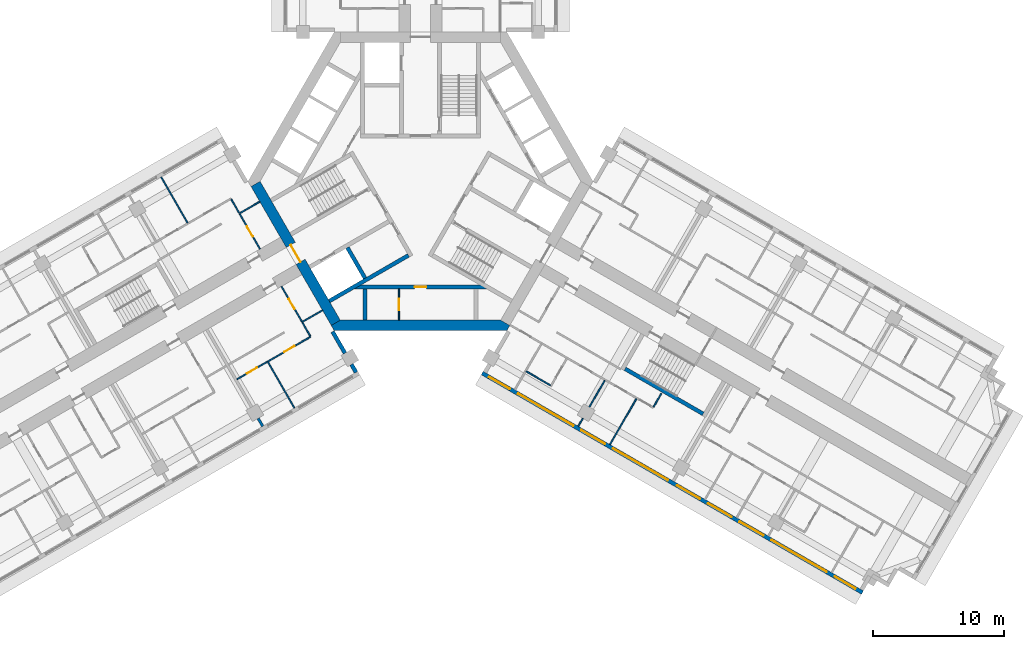
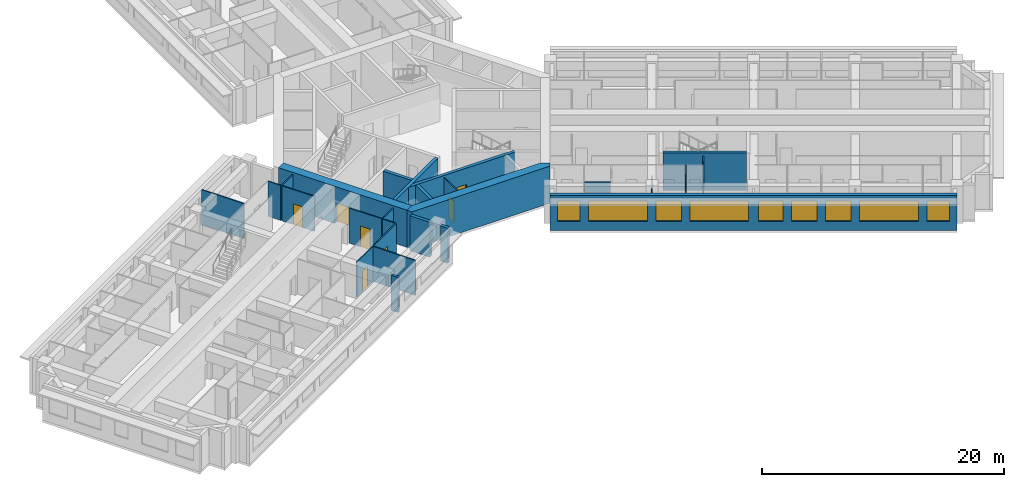
# One storey, part 6 of 14: 26 walls, 9 windows, 7 doors, 16 openings.
"""IFC4 building model written with IfcOpenShell, lengths in metres."""

from ifc_helpers import new_model, si_unit, direction, frame, frame_2d, origin, place, context, subcontext, project, spatial, polyline, rectangle, outline, extrude, material, layer, layer_set, type_object, element, fill, save


model = new_model("IFC4")

# Units and contexts
model_context = context("Model", 3, precision=1e-05, world=origin(), true_north=direction((0.0, 1.0)))
body_context = subcontext(model_context, "Body", "Model", "MODEL_VIEW")
ifc_project = project(units=[si_unit("LENGTHUNIT", "METRE"), si_unit("AREAUNIT", "SQUARE_METRE"), si_unit("VOLUMEUNIT", "CUBIC_METRE"), si_unit("PLANEANGLEUNIT", "RADIAN"), si_unit("MASSUNIT", "GRAM", prefix="KILO")], contexts=[model_context])

# Site, building, storey
site_placement = place(None, origin())
site = spatial("IfcSite", under=ifc_project, at=site_placement, CompositionType="ELEMENT")
building_placement = place(site_placement, origin())
building = spatial("IfcBuilding", under=site, at=building_placement, Name="Impinga Residences", CompositionType="ELEMENT")
storey_placement = place(building_placement, frame((0.0, 0.0, 124.75)))
storey = spatial("IfcBuildingStorey", under=building, at=storey_placement, Name="L30", CompositionType="ELEMENT", Elevation=124.75)

# Wall, opening, door
ifc_material_1 = material(Name="Concrete blockwork", Category="masonry")
ifc_layer_1 = layer(ifc_material_1, 0.10009765625)
ifc_layer_set_1 = layer_set([ifc_layer_1], Name="CP1 core room partition, blockwork 100")
wall_type_1 = type_object("IfcWallType", Name="CP1 core room partition, blockwork 100", PredefinedType="PARTITIONING", material=ifc_layer_set_1)
wall_1_placement = place(storey_placement, frame((-1.64990234375, -8.2314453125, 0.0), z_axis=(0.0, 0.0, 1.0), x_axis=(0.0, -1.0, 0.0)))
wall_1 = element("IfcWall", 1, at=wall_1_placement, inside=storey, type_object=wall_type_1, Name="Core room partition, blockwork L30:CORE:low:ZP1", PredefinedType="PARTITIONING", context=body_context, shape_type="SweptSolid", body=[
    extrude(rectangle(XDim=2.400146484375, YDim=0.10009765625, at=frame_2d((1.2001953125, 0.0))), origin(), (0.0, 0.0, 1.0), 3.530029296875),
])
opening_1_placement = place(wall_1_placement, frame((0.75, 0.0, 0.0)))
opening_1 = element("IfcOpeningElement", 2, at=opening_1_placement, cuts=wall_1, Name="Opening D6", PredefinedType="OPENING", context=body_context, shape_type="SweptSolid", body=[
    extrude(rectangle(XDim=0.89990234375, YDim=2.10009765625, at=frame_2d((0.449951171875, 1.050048828125))), frame((0.0, 0.06005859375, 0.0), z_axis=(0.0, -1.0, 0.0), x_axis=(1.0, 0.0, 0.0)), (0.0, 0.0, 1.0), 0.1201171875),
])
ifc_material_2 = material(Name="Timber door set", Category="wood")
door_type_1 = type_object("IfcDoorType", Name="D6 riser and store door 900x2100", OperationType="SINGLE_SWING_LEFT", PredefinedType="DOOR", material=ifc_material_2)
door_1_placement = place(opening_1_placement, origin())
door_1 = element("IfcDoor", 3, at=door_1_placement, inside=storey, type_object=door_type_1, Name="Linen store door", OperationType="SINGLE_SWING_LEFT", OverallHeight=2.10009765625, OverallWidth=0.89990234375, PredefinedType="DOOR", context=body_context, shape_type="SweptSolid", body=[
    extrude(rectangle(XDim=0.89990234375, YDim=2.10009765625, at=frame_2d((0.449951171875, 1.050048828125))), frame((0.0, 0.02490234375, 0.0), z_axis=(0.0, -1.0, 0.0), x_axis=(1.0, 0.0, 0.0)), (0.0, 0.0, 1.0), 0.050048828125),
])
fill(opening_1, door_1)

# Wall, openings, windows
ifc_material_3 = material(Name="Terracotta rainscreen on blockwork", Category="masonry")
ifc_layer_2 = layer(ifc_material_3, 0.300048828125)
ifc_layer_set_2 = layer_set([ifc_layer_2], Name="EW1 external wall, terracotta rainscreen on blockwork 300")
wall_type_2 = type_object("IfcWallType", Name="EW1 external wall, terracotta rainscreen on blockwork 300", PredefinedType="SOLIDWALL", material=ifc_layer_set_2)
wall_2_placement = place(storey_placement, frame((33.823486328125, -31.479248046875, 0.0), z_axis=(0.0, 0.0, 1.0), x_axis=(-0.866024291668, 0.500001926238, 0.0)))
wall_2 = element("IfcWall", 4, at=wall_2_placement, inside=storey, type_object=wall_type_2, Name="External wall EW1 L30", PredefinedType="SOLIDWALL", context=body_context, shape_type="SweptSolid", body=[
    extrude(rectangle(XDim=33.599853515625, YDim=0.300048828125, at=frame_2d((16.7998046875, 0.0))), origin(), (0.0, 0.0, 1.0), 3.530029296875),
])
opening_2_placement = place(wall_2_placement, frame((0.60009765625, 0.0, 0.89990234375)))
opening_2 = element("IfcOpeningElement", 5, at=opening_2_placement, cuts=wall_2, Name="Opening W15", PredefinedType="OPENING", context=body_context, shape_type="SweptSolid", body=[
    extrude(rectangle(XDim=1.85009765625, YDim=2.050048828125, at=frame_2d((0.925048828125, 1.02490234375))), frame((0.0, 0.159912109375, 0.0), z_axis=(0.0, -1.0, 0.0), x_axis=(1.0, 0.0, 0.0)), (0.0, 0.0, 1.0), 0.320068359375),
])
opening_3_placement = place(wall_2_placement, frame((3.14990234375, 0.0, 0.89990234375)))
opening_3 = element("IfcOpeningElement", 6, at=opening_3_placement, cuts=wall_2, Name="Opening W16", PredefinedType="OPENING", context=body_context, shape_type="SweptSolid", body=[
    extrude(rectangle(XDim=4.89990234375, YDim=2.050048828125, at=frame_2d((2.449951171875, 1.02490234375))), frame((0.0, 0.159912109375, 0.0), z_axis=(0.0, -1.0, 0.0), x_axis=(1.0, 0.0, 0.0)), (0.0, 0.0, 1.0), 0.320068359375),
])
opening_4_placement = place(wall_2_placement, frame((8.75, 0.0, 0.89990234375)))
opening_4 = element("IfcOpeningElement", 7, at=opening_4_placement, cuts=wall_2, Name="Opening W9", PredefinedType="OPENING", context=body_context, shape_type="SweptSolid", body=[
    extrude(rectangle(XDim=2.10009765625, YDim=2.050048828125, at=frame_2d((1.050048828125, 1.02490234375))), frame((0.0, 0.159912109375, 0.0), z_axis=(0.0, -1.0, 0.0), x_axis=(1.0, 0.0, 0.0)), (0.0, 0.0, 1.0), 0.320068359375),
])
opening_5_placement = place(wall_2_placement, frame((11.550048828125, 0.0, 0.89990234375)))
opening_5 = element("IfcOpeningElement", 8, at=opening_5_placement, cuts=wall_2, Name="Opening W9", PredefinedType="OPENING", context=body_context, shape_type="SweptSolid", body=[
    extrude(rectangle(XDim=2.10009765625, YDim=2.050048828125, at=frame_2d((1.050048828125, 1.02490234375))), frame((0.0, 0.159912109375, 0.0), z_axis=(0.0, -1.0, 0.0), x_axis=(1.0, 0.0, 0.0)), (0.0, 0.0, 1.0), 0.320068359375),
])
opening_6_placement = place(wall_2_placement, frame((14.35009765625, 0.0, 0.89990234375)))
opening_6 = element("IfcOpeningElement", 9, at=opening_6_placement, cuts=wall_2, Name="Opening W14", PredefinedType="OPENING", context=body_context, shape_type="SweptSolid", body=[
    extrude(rectangle(XDim=2.050048828125, YDim=2.050048828125, at=frame_2d((1.02490234375, 1.02490234375))), frame((0.0, 0.159912109375, 0.0), z_axis=(0.0, -1.0, 0.0), x_axis=(1.0, 0.0, 0.0)), (0.0, 0.0, 1.0), 0.320068359375),
])
opening_7_placement = place(wall_2_placement, frame((17.199951171875, 0.0, 0.89990234375)))
opening_7 = element("IfcOpeningElement", 10, at=opening_7_placement, cuts=wall_2, Name="Opening W6", PredefinedType="OPENING", context=body_context, shape_type="SweptSolid", body=[
    extrude(rectangle(XDim=4.85009765625, YDim=2.050048828125, at=frame_2d((2.425048828125, 1.02490234375))), frame((0.0, 0.159912109375, 0.0), z_axis=(0.0, -1.0, 0.0), x_axis=(1.0, 0.0, 0.0)), (0.0, 0.0, 1.0), 0.320068359375),
])
opening_8_placement = place(wall_2_placement, frame((22.75, 0.0, 0.89990234375)))
opening_8 = element("IfcOpeningElement", 11, at=opening_8_placement, cuts=wall_2, Name="Opening W9", PredefinedType="OPENING", context=body_context, shape_type="SweptSolid", body=[
    extrude(rectangle(XDim=2.10009765625, YDim=2.050048828125, at=frame_2d((1.050048828125, 1.02490234375))), frame((0.0, 0.159912109375, 0.0), z_axis=(0.0, -1.0, 0.0), x_axis=(1.0, 0.0, 0.0)), (0.0, 0.0, 1.0), 0.320068359375),
])
opening_9_placement = place(wall_2_placement, frame((25.550048828125, 0.0, 0.89990234375)))
opening_9 = element("IfcOpeningElement", 12, at=opening_9_placement, cuts=wall_2, Name="Opening W16", PredefinedType="OPENING", context=body_context, shape_type="SweptSolid", body=[
    extrude(rectangle(XDim=4.89990234375, YDim=2.050048828125, at=frame_2d((2.449951171875, 1.02490234375))), frame((0.0, 0.159912109375, 0.0), z_axis=(0.0, -1.0, 0.0), x_axis=(1.0, 0.0, 0.0)), (0.0, 0.0, 1.0), 0.320068359375),
])
opening_10_placement = place(wall_2_placement, frame((31.14990234375, 0.0, 0.89990234375)))
opening_10 = element("IfcOpeningElement", 13, at=opening_10_placement, cuts=wall_2, Name="Opening W15", PredefinedType="OPENING", context=body_context, shape_type="SweptSolid", body=[
    extrude(rectangle(XDim=1.85009765625, YDim=2.050048828125, at=frame_2d((0.925048828125, 1.02490234375))), frame((0.0, 0.159912109375, 0.0), z_axis=(0.0, -1.0, 0.0), x_axis=(1.0, 0.0, 0.0)), (0.0, 0.0, 1.0), 0.320068359375),
])
ifc_material_4 = material(Name="Aluminium window, clear double glazing", Category="aluminium")
window_type_1 = type_object("IfcWindowType", Name="W14 ribbon window 2050x2050", PartitioningType="SINGLE_PANEL", PredefinedType="WINDOW", material=ifc_material_4)
window_1_placement = place(opening_6_placement, origin())
window_1 = element("IfcWindow", 14, at=window_1_placement, inside=storey, type_object=window_type_1, Name="Window L30", OverallHeight=2.050048828125, OverallWidth=2.050048828125, PartitioningType="SINGLE_PANEL", PredefinedType="WINDOW", context=body_context, shape_type="SweptSolid", body=[
    extrude(rectangle(XDim=2.050048828125, YDim=2.050048828125, at=frame_2d((1.02490234375, 1.02490234375))), frame((0.0, 0.030029296875, 0.0), z_axis=(0.0, -1.0, 0.0), x_axis=(1.0, 0.0, 0.0)), (0.0, 0.0, 1.0), 0.06005859375),
])
fill(opening_6, window_1)
window_type_2 = type_object("IfcWindowType", Name="W15 ribbon window 1850x2050", PartitioningType="SINGLE_PANEL", PredefinedType="WINDOW", material=ifc_material_4)
window_2_placement = place(opening_2_placement, origin())
window_2 = element("IfcWindow", 15, at=window_2_placement, inside=storey, type_object=window_type_2, Name="Window L30", OverallHeight=2.050048828125, OverallWidth=1.85009765625, PartitioningType="SINGLE_PANEL", PredefinedType="WINDOW", context=body_context, shape_type="SweptSolid", body=[
    extrude(rectangle(XDim=1.85009765625, YDim=2.050048828125, at=frame_2d((0.925048828125, 1.02490234375))), frame((0.0, 0.030029296875, 0.0), z_axis=(0.0, -1.0, 0.0), x_axis=(1.0, 0.0, 0.0)), (0.0, 0.0, 1.0), 0.06005859375),
])
fill(opening_2, window_2)
window_3_placement = place(opening_10_placement, origin())
window_3 = element("IfcWindow", 16, at=window_3_placement, inside=storey, type_object=window_type_2, Name="Window L30", OverallHeight=2.050048828125, OverallWidth=1.85009765625, PartitioningType="SINGLE_PANEL", PredefinedType="WINDOW", context=body_context, shape_type="SweptSolid", body=[
    extrude(rectangle(XDim=1.85009765625, YDim=2.050048828125, at=frame_2d((0.925048828125, 1.02490234375))), frame((0.0, 0.030029296875, 0.0), z_axis=(0.0, -1.0, 0.0), x_axis=(1.0, 0.0, 0.0)), (0.0, 0.0, 1.0), 0.06005859375),
])
fill(opening_10, window_3)
window_type_3 = type_object("IfcWindowType", Name="W16 ribbon window 4900x2050", PartitioningType="SINGLE_PANEL", PredefinedType="WINDOW", material=ifc_material_4)
window_4_placement = place(opening_3_placement, origin())
window_4 = element("IfcWindow", 17, at=window_4_placement, inside=storey, type_object=window_type_3, Name="Window L30", OverallHeight=2.050048828125, OverallWidth=4.89990234375, PartitioningType="SINGLE_PANEL", PredefinedType="WINDOW", context=body_context, shape_type="SweptSolid", body=[
    extrude(rectangle(XDim=4.89990234375, YDim=2.050048828125, at=frame_2d((2.449951171875, 1.02490234375))), frame((0.0, 0.030029296875, 0.0), z_axis=(0.0, -1.0, 0.0), x_axis=(1.0, 0.0, 0.0)), (0.0, 0.0, 1.0), 0.06005859375),
])
fill(opening_3, window_4)
window_5_placement = place(opening_9_placement, origin())
window_5 = element("IfcWindow", 18, at=window_5_placement, inside=storey, type_object=window_type_3, Name="Window L30", OverallHeight=2.050048828125, OverallWidth=4.89990234375, PartitioningType="SINGLE_PANEL", PredefinedType="WINDOW", context=body_context, shape_type="SweptSolid", body=[
    extrude(rectangle(XDim=4.89990234375, YDim=2.050048828125, at=frame_2d((2.449951171875, 1.02490234375))), frame((0.0, 0.030029296875, 0.0), z_axis=(0.0, -1.0, 0.0), x_axis=(1.0, 0.0, 0.0)), (0.0, 0.0, 1.0), 0.06005859375),
])
fill(opening_9, window_5)
window_type_4 = type_object("IfcWindowType", Name="W6 ribbon window 4850x2050", PartitioningType="SINGLE_PANEL", PredefinedType="WINDOW", material=ifc_material_4)
window_6_placement = place(opening_7_placement, origin())
window_6 = element("IfcWindow", 19, at=window_6_placement, inside=storey, type_object=window_type_4, Name="Window L30", OverallHeight=2.050048828125, OverallWidth=4.85009765625, PartitioningType="SINGLE_PANEL", PredefinedType="WINDOW", context=body_context, shape_type="SweptSolid", body=[
    extrude(rectangle(XDim=4.85009765625, YDim=2.050048828125, at=frame_2d((2.425048828125, 1.02490234375))), frame((0.0, 0.030029296875, 0.0), z_axis=(0.0, -1.0, 0.0), x_axis=(1.0, 0.0, 0.0)), (0.0, 0.0, 1.0), 0.06005859375),
])
fill(opening_7, window_6)
window_type_5 = type_object("IfcWindowType", Name="W9 ribbon window 2100x2050", PartitioningType="SINGLE_PANEL", PredefinedType="WINDOW", material=ifc_material_4)
window_7_placement = place(opening_4_placement, origin())
window_7 = element("IfcWindow", 20, at=window_7_placement, inside=storey, type_object=window_type_5, Name="Window L30", OverallHeight=2.050048828125, OverallWidth=2.10009765625, PartitioningType="SINGLE_PANEL", PredefinedType="WINDOW", context=body_context, shape_type="SweptSolid", body=[
    extrude(rectangle(XDim=2.10009765625, YDim=2.050048828125, at=frame_2d((1.050048828125, 1.02490234375))), frame((0.0, 0.030029296875, 0.0), z_axis=(0.0, -1.0, 0.0), x_axis=(1.0, 0.0, 0.0)), (0.0, 0.0, 1.0), 0.06005859375),
])
fill(opening_4, window_7)
window_8_placement = place(opening_5_placement, origin())
window_8 = element("IfcWindow", 21, at=window_8_placement, inside=storey, type_object=window_type_5, Name="Window L30", OverallHeight=2.050048828125, OverallWidth=2.10009765625, PartitioningType="SINGLE_PANEL", PredefinedType="WINDOW", context=body_context, shape_type="SweptSolid", body=[
    extrude(rectangle(XDim=2.10009765625, YDim=2.050048828125, at=frame_2d((1.050048828125, 1.02490234375))), frame((0.0, 0.030029296875, 0.0), z_axis=(0.0, -1.0, 0.0), x_axis=(1.0, 0.0, 0.0)), (0.0, 0.0, 1.0), 0.06005859375),
])
fill(opening_5, window_8)
window_9_placement = place(opening_8_placement, origin())
window_9 = element("IfcWindow", 22, at=window_9_placement, inside=storey, type_object=window_type_5, Name="Window L30", OverallHeight=2.050048828125, OverallWidth=2.10009765625, PartitioningType="SINGLE_PANEL", PredefinedType="WINDOW", context=body_context, shape_type="SweptSolid", body=[
    extrude(rectangle(XDim=2.10009765625, YDim=2.050048828125, at=frame_2d((1.050048828125, 1.02490234375))), frame((0.0, 0.030029296875, 0.0), z_axis=(0.0, -1.0, 0.0), x_axis=(1.0, 0.0, 0.0)), (0.0, 0.0, 1.0), 0.06005859375),
])
fill(opening_8, window_9)

# Walls
wall_3_placement = place(storey_placement, frame((-6.72998046875, -11.506591796875, 0.0), z_axis=(0.0, 0.0, 1.0), x_axis=(0.500063520245, -0.865988727248, 0.0)))
element("IfcWall", 23, at=wall_3_placement, inside=storey, type_object=wall_type_2, Name="External wall EW1 L30", PredefinedType="SOLIDWALL", context=body_context, shape_type="SweptSolid", body=[
    extrude(rectangle(XDim=1.900146484375, YDim=0.300048828125, at=frame_2d((0.9501953125, 0.0))), origin(), (0.0, 0.0, 1.0), 3.530029296875),
])
wall_4_placement = place(storey_placement, frame((-5.27978515625, -14.01806640625, 0.0), z_axis=(0.0, 0.0, 1.0), x_axis=(0.499853302173, -0.866110083249, 0.0)))
element("IfcWall", 24, at=wall_4_placement, inside=storey, type_object=wall_type_2, Name="External wall EW1 L30", PredefinedType="SOLIDWALL", context=body_context, shape_type="SweptSolid", body=[
    extrude(rectangle(XDim=0.699951171875, YDim=0.300048828125, at=frame_2d((0.35009765625, 0.0))), origin(), (0.0, 0.0, 1.0), 3.530029296875),
])
ifc_material_5 = material(Name="Gypsum board on steel studs", Category="steel")
ifc_layer_3 = layer(ifc_material_5, 0.10009765625)
ifc_layer_set_3 = layer_set([ifc_layer_3], Name="Gypsum board on steel studs")
wall_type_3 = type_object("IfcWallType", Name="IP1 partition 100", PredefinedType="PARTITIONING", material=ifc_layer_set_3)
wall_5_placement = place(storey_placement, frame((-7.5, -9.872802734375, 0.0), z_axis=(0.0, 0.0, 1.0), x_axis=(-0.866047807691, -0.499961193289, 0.0)))
element("IfcWall", 25, at=wall_5_placement, inside=storey, type_object=wall_type_3, Name="Partition L30-WA1:DIV0", PredefinedType="PARTITIONING", context=body_context, shape_type="SweptSolid", body=[
    extrude(rectangle(XDim=1.800048828125, YDim=0.10009765625, at=frame_2d((0.89990234375, 0.0))), origin(), (0.0, 0.0, 1.0), 3.530029296875),
])

# Wall, openings, doors
wall_6_placement = place(storey_placement, frame((-8.408935546875, -11.8984375, 0.0), z_axis=(0.0, 0.0, 1.0), x_axis=(-0.866024837091, -0.50000098154, 0.0)))
wall_6 = element("IfcWall", 26, at=wall_6_placement, inside=storey, type_object=wall_type_3, Name="Partition L30-WA1:STRIP", PredefinedType="PARTITIONING", context=body_context, shape_type="SweptSolid", body=[
    extrude(rectangle(XDim=6.5, YDim=0.10009765625, at=frame_2d((3.25, 0.0))), origin(), (0.0, 0.0, 1.0), 3.530029296875),
])
opening_11_placement = place(wall_6_placement, frame((1.425048828125, 0.0, 0.0)))
opening_11 = element("IfcOpeningElement", 27, at=opening_11_placement, cuts=wall_6, Name="Opening D2", PredefinedType="OPENING", context=body_context, shape_type="SweptSolid", body=[
    extrude(rectangle(XDim=0.89990234375, YDim=2.10009765625, at=frame_2d((0.449951171875, 1.050048828125))), frame((0.0, 0.06005859375, 0.0), z_axis=(0.0, -1.0, 0.0), x_axis=(1.0, 0.0, 0.0)), (0.0, 0.0, 1.0), 0.1201171875),
])
opening_12_placement = place(wall_6_placement, frame((4.72509765625, 0.0, 0.0)))
opening_12 = element("IfcOpeningElement", 28, at=opening_12_placement, cuts=wall_6, Name="Opening D2", PredefinedType="OPENING", context=body_context, shape_type="SweptSolid", body=[
    extrude(rectangle(XDim=0.89990234375, YDim=2.10009765625, at=frame_2d((0.449951171875, 1.050048828125))), frame((0.0, 0.06005859375, 0.0), z_axis=(0.0, -1.0, 0.0), x_axis=(1.0, 0.0, 0.0)), (0.0, 0.0, 1.0), 0.1201171875),
])
door_type_2 = type_object("IfcDoorType", Name="D2 internal door 900x2100", OperationType="SINGLE_SWING_LEFT", PredefinedType="DOOR", material=ifc_material_2)
door_2_placement = place(opening_11_placement, origin())
door_2 = element("IfcDoor", 29, at=door_2_placement, inside=storey, type_object=door_type_2, Name="Apartment L30-WA1 room door", OperationType="SINGLE_SWING_LEFT", OverallHeight=2.10009765625, OverallWidth=0.89990234375, PredefinedType="DOOR", context=body_context, shape_type="SweptSolid", body=[
    extrude(rectangle(XDim=0.89990234375, YDim=2.10009765625, at=frame_2d((0.449951171875, 1.050048828125))), frame((0.0, 0.02490234375, 0.0), z_axis=(0.0, -1.0, 0.0), x_axis=(1.0, 0.0, 0.0)), (0.0, 0.0, 1.0), 0.050048828125),
])
fill(opening_11, door_2)
door_3_placement = place(opening_12_placement, origin())
door_3 = element("IfcDoor", 30, at=door_3_placement, inside=storey, type_object=door_type_2, Name="Apartment L30-WA1 room door", OperationType="SINGLE_SWING_RIGHT", OverallHeight=2.10009765625, OverallWidth=0.89990234375, PredefinedType="DOOR", context=body_context, shape_type="SweptSolid", body=[
    extrude(rectangle(XDim=0.89990234375, YDim=2.10009765625, at=frame_2d((0.449951171875, 1.050048828125))), frame((0.0, 0.02490234375, 0.0), z_axis=(0.0, -1.0, 0.0), x_axis=(1.0, 0.0, 0.0)), (0.0, 0.0, 1.0), 0.050048828125),
])
fill(opening_12, door_3)

# Wall
wall_7_placement = place(storey_placement, frame((-9.033935546875, -10.81591796875, 0.0), z_axis=(0.0, 0.0, 1.0), x_axis=(0.500033551112, -0.866006032174, 0.0)))
element("IfcWall", 31, at=wall_7_placement, inside=storey, type_object=wall_type_3, Name="Partition L30-WA1:SE0", PredefinedType="PARTITIONING", context=body_context, shape_type="SweptSolid", body=[
    extrude(rectangle(XDim=1.2001953125, YDim=0.10009765625, at=frame_2d((0.60009765625, 0.0))), origin(), (0.0, 0.0, 1.0), 3.530029296875),
])

# Wall, opening, door
wall_8_placement = place(storey_placement, frame((-10.6337890625, -8.044677734375, 0.0), z_axis=(0.0, 0.0, 1.0), x_axis=(0.49999285859, -0.86602952684, 0.0)))
wall_8 = element("IfcWall", 32, at=wall_8_placement, inside=storey, type_object=wall_type_3, Name="Partition L30-WA1:IB1", PredefinedType="PARTITIONING", context=body_context, shape_type="SweptSolid", body=[
    extrude(rectangle(XDim=3.10009765625, YDim=0.10009765625, at=frame_2d((1.550048828125, 0.0))), origin(), (0.0, 0.0, 1.0), 3.530029296875),
])
opening_13_placement = place(wall_8_placement, frame((1.10009765625, 0.0, 0.0)))
opening_13 = element("IfcOpeningElement", 33, at=opening_13_placement, cuts=wall_8, Name="Opening D2", PredefinedType="OPENING", context=body_context, shape_type="SweptSolid", body=[
    extrude(rectangle(XDim=0.89990234375, YDim=2.10009765625, at=frame_2d((0.449951171875, 1.050048828125))), frame((0.0, 0.06005859375, 0.0), z_axis=(0.0, -1.0, 0.0), x_axis=(1.0, 0.0, 0.0)), (0.0, 0.0, 1.0), 0.1201171875),
])
door_4_placement = place(opening_13_placement, origin())
door_4 = element("IfcDoor", 34, at=door_4_placement, inside=storey, type_object=door_type_2, Name="Apartment L30-WA1 bathroom door", OperationType="SINGLE_SWING_LEFT", OverallHeight=2.10009765625, OverallWidth=0.89990234375, PredefinedType="DOOR", context=body_context, shape_type="SweptSolid", body=[
    extrude(rectangle(XDim=0.89990234375, YDim=2.10009765625, at=frame_2d((0.449951171875, 1.050048828125))), frame((0.0, 0.02490234375, 0.0), z_axis=(0.0, -1.0, 0.0), x_axis=(1.0, 0.0, 0.0)), (0.0, 0.0, 1.0), 0.050048828125),
])
fill(opening_13, door_4)

# Walls
wall_9_placement = place(storey_placement, frame((-11.6748046875, -13.841796875, 0.0), z_axis=(0.0, 0.0, 1.0), x_axis=(0.500035537042, -0.866004885491, 0.0)))
element("IfcWall", 35, at=wall_9_placement, inside=storey, type_object=wall_type_3, Name="Partition L30-WA1:OB1", PredefinedType="PARTITIONING", context=body_context, shape_type="SweptSolid", body=[
    extrude(rectangle(XDim=4.050048828125, YDim=0.10009765625, at=frame_2d((2.02490234375, 0.0))), origin(), (0.0, 0.0, 1.0), 3.530029296875),
])
wall_10_placement = place(storey_placement, frame((-12.300048828125, -1.558837890625, 0.0), z_axis=(0.0, 0.0, 1.0), x_axis=(-0.866047807691, -0.499961193289, 0.0)))
element("IfcWall", 36, at=wall_10_placement, inside=storey, type_object=wall_type_3, Name="Partition L30-WF1:DIV0", PredefinedType="PARTITIONING", context=body_context, shape_type="SweptSolid", body=[
    extrude(rectangle(XDim=1.800048828125, YDim=0.10009765625, at=frame_2d((0.89990234375, 0.0))), origin(), (0.0, 0.0, 1.0), 3.530029296875),
])
wall_11_placement = place(storey_placement, frame((-13.8837890625, -2.41552734375, 0.0), z_axis=(0.0, 0.0, 1.0), x_axis=(-0.500033551112, 0.866006032174, 0.0)))
element("IfcWall", 37, at=wall_11_placement, inside=storey, type_object=wall_type_3, Name="Partition L30-WF1:SE0", PredefinedType="PARTITIONING", context=body_context, shape_type="SweptSolid", body=[
    extrude(rectangle(XDim=1.2001953125, YDim=0.10009765625, at=frame_2d((0.60009765625, 0.0))), origin(), (0.0, 0.0, 1.0), 3.530029296875),
])

# Wall, opening, door
wall_12_placement = place(storey_placement, frame((-12.283935546875, -5.186767578125, 0.0), z_axis=(0.0, 0.0, 1.0), x_axis=(-0.499967891604, 0.866043940782, 0.0)))
wall_12 = element("IfcWall", 38, at=wall_12_placement, inside=storey, type_object=wall_type_3, Name="Partition L30-WF1:IB1", PredefinedType="PARTITIONING", context=body_context, shape_type="SweptSolid", body=[
    extrude(rectangle(XDim=3.099853515625, YDim=0.10009765625, at=frame_2d((1.5498046875, 0.0))), origin(), (0.0, 0.0, 1.0), 3.530029296875),
])
opening_14_placement = place(wall_12_placement, frame((1.10009765625, 0.0, 0.0)))
opening_14 = element("IfcOpeningElement", 39, at=opening_14_placement, cuts=wall_12, Name="Opening D2", PredefinedType="OPENING", context=body_context, shape_type="SweptSolid", body=[
    extrude(rectangle(XDim=0.89990234375, YDim=2.10009765625, at=frame_2d((0.449951171875, 1.050048828125))), frame((0.0, 0.06005859375, 0.0), z_axis=(0.0, -1.0, 0.0), x_axis=(1.0, 0.0, 0.0)), (0.0, 0.0, 1.0), 0.1201171875),
])
door_5_placement = place(opening_14_placement, origin())
door_5 = element("IfcDoor", 40, at=door_5_placement, inside=storey, type_object=door_type_2, Name="Apartment L30-WF1 bathroom door", OperationType="SINGLE_SWING_LEFT", OverallHeight=2.10009765625, OverallWidth=0.89990234375, PredefinedType="DOOR", context=body_context, shape_type="SweptSolid", body=[
    extrude(rectangle(XDim=0.89990234375, YDim=2.10009765625, at=frame_2d((0.449951171875, 1.050048828125))), frame((0.0, 0.02490234375, 0.0), z_axis=(0.0, -1.0, 0.0), x_axis=(1.0, 0.0, 0.0)), (0.0, 0.0, 1.0), 0.050048828125),
])
fill(opening_14, door_5)

# Walls
wall_13_placement = place(storey_placement, frame((-17.82470703125, -3.189697265625, 0.0), z_axis=(0.0, 0.0, 1.0), x_axis=(-0.500035537042, 0.866004885491, 0.0)))
element("IfcWall", 41, at=wall_13_placement, inside=storey, type_object=wall_type_3, Name="Partition L30-WF1:OB1", PredefinedType="PARTITIONING", context=body_context, shape_type="SweptSolid", body=[
    extrude(rectangle(XDim=4.050048828125, YDim=0.10009765625, at=frame_2d((2.02490234375, 0.0))), origin(), (0.0, 0.0, 1.0), 3.530029296875),
])
wall_14_placement = place(storey_placement, frame((18.43017578125, -16.240966796875, 0.0), z_axis=(0.0, 0.0, 1.0), x_axis=(-0.499880961361, -0.866094119867, 0.0)))
element("IfcWall", 42, at=wall_14_placement, inside=storey, type_object=wall_type_3, Name="Partition L30-EF1:SE1", PredefinedType="PARTITIONING", context=body_context, shape_type="SweptSolid", body=[
    extrude(rectangle(XDim=1.199951171875, YDim=0.10009765625, at=frame_2d((0.60009765625, 0.0))), origin(), (0.0, 0.0, 1.0), 3.530029296875),
])
wall_15_placement = place(storey_placement, frame((14.099609375, -15.241943359375, 0.0), z_axis=(0.0, 0.0, 1.0), x_axis=(-0.500016218704, -0.866016039709, 0.0)))
element("IfcWall", 43, at=wall_15_placement, inside=storey, type_object=wall_type_3, Name="Partition L30-EF1:OB2", PredefinedType="PARTITIONING", context=body_context, shape_type="SweptSolid", body=[
    extrude(rectangle(XDim=2.35009765625, YDim=0.10009765625, at=frame_2d((1.175048828125, 0.0))), origin(), (0.0, 0.0, 1.0), 2.47998046875),
])
wall_16_placement = place(storey_placement, frame((12.424560546875, -18.14306640625, 0.0), z_axis=(0.0, 0.0, 1.0), x_axis=(-0.499853302173, -0.866110083249, 0.0)))
element("IfcWall", 44, at=wall_16_placement, inside=storey, type_object=wall_type_3, Name="Partition L30-EF1:OB2b", PredefinedType="PARTITIONING", context=body_context, shape_type="SweptSolid", body=[
    extrude(rectangle(XDim=0.699951171875, YDim=0.10009765625, at=frame_2d((0.35009765625, 0.0))), origin(), (0.0, 0.0, 1.0), 3.530029296875),
])
wall_17_placement = place(storey_placement, frame((16.5244140625, -16.641845703125, 0.0), z_axis=(0.0, 0.0, 1.0), x_axis=(-0.499990325971, -0.866030989016, 0.0)))
element("IfcWall", 45, at=wall_17_placement, inside=storey, type_object=wall_type_3, Name="Partition L30-EF1:OB3", PredefinedType="PARTITIONING", context=body_context, shape_type="SweptSolid", body=[
    extrude(rectangle(XDim=4.0498046875, YDim=0.10009765625, at=frame_2d((2.02490234375, 0.0))), origin(), (0.0, 0.0, 1.0), 3.530029296875),
])
wall_18_placement = place(storey_placement, frame((8.09326171875, -14.545166015625, 0.0), z_axis=(0.0, 0.0, 1.0), x_axis=(0.865969990567, -0.500095966228, 0.0)))
element("IfcWall", 46, at=wall_18_placement, inside=storey, type_object=wall_type_3, Name="Partition L30-EF1:EN2", PredefinedType="PARTITIONING", context=body_context, shape_type="SweptSolid", body=[
    extrude(rectangle(XDim=2.14990234375, YDim=0.10009765625, at=frame_2d((1.074951171875, 0.0))), origin(), (0.0, 0.0, 1.0), 3.530029296875),
])
ifc_layer_4 = layer(ifc_material_1, 0.199951171875)
ifc_layer_set_4 = layer_set([ifc_layer_4], Name="PW1 party wall between apartments 200")
wall_type_4 = type_object("IfcWallType", Name="PW1 party wall between apartments 200", PredefinedType="SOLIDWALL", material=ifc_layer_set_4)
wall_19_placement = place(storey_placement, frame((-12.424560546875, -18.14306640625, 0.0), z_axis=(0.0, 0.0, 1.0), x_axis=(0.499853302173, -0.866110083249, 0.0)))
element("IfcWall", 47, at=wall_19_placement, inside=storey, type_object=wall_type_4, Name="Party wall between apartments L30-WA1:PARTYb", PredefinedType="SOLIDWALL", context=body_context, shape_type="SweptSolid", body=[
    extrude(rectangle(XDim=0.699951171875, YDim=0.199951171875, at=frame_2d((0.35009765625, 0.0))), origin(), (0.0, 0.0, 1.0), 3.530029296875),
])
ifc_material_6 = material(Name="Concrete C60/75", Category="concrete")
ifc_layer_5 = layer(ifc_material_6, 0.300048828125)
ifc_layer_set_5 = layer_set([ifc_layer_5], Name="Concrete C60/75")
wall_type_5 = type_object("IfcWallType", Name="SE1 wing stair enclosure wall 300", PredefinedType="SOLIDWALL", material=ifc_layer_set_5)
wall_20_placement = place(storey_placement, frame((15.654052734375, -14.349365234375, 0.0), z_axis=(0.0, 0.0, 1.0), x_axis=(0.866013532718, -0.500020560727, 0.0)))
element("IfcWall", 48, at=wall_20_placement, inside=storey, type_object=wall_type_5, Name="Stair enclosure wall SE1 E OUT L30", PredefinedType="SOLIDWALL", context=body_context, shape_type="SweptSolid", body=[
    extrude(rectangle(XDim=6.900146484375, YDim=0.300048828125, at=frame_2d((3.4501953125, 0.0))), origin(), (0.0, 0.0, 1.0), 3.75),
])

# Wall, opening, door
ifc_layer_6 = layer(ifc_material_6, 0.800048828125)
ifc_layer_set_6 = layer_set([ifc_layer_6], Name="Concrete C60/75")
wall_type_6 = type_object("IfcWallType", Name="SW2 core wall 800", PredefinedType="SHEAR", material=ifc_layer_set_6)
wall_21_placement = place(storey_placement, frame((-6.484619140625, -10.83154296875, 0.0), z_axis=(0.0, 0.0, 1.0), x_axis=(-0.499986991068, 0.866032914365, 0.0)))
wall_21 = element("IfcWall", 49, at=wall_21_placement, inside=storey, type_object=wall_type_6, Name="Core wall SW2 W:FACE L30", PredefinedType="SHEAR", context=body_context, shape_type="SweptSolid", body=[
    extrude(rectangle(XDim=12.276123046875, YDim=0.800048828125, at=frame_2d((6.13818359375, 0.0))), origin(), (0.0, 0.0, 1.0), 3.75),
])
opening_15_placement = place(wall_21_placement, frame((5.38818359375, 0.0, 0.0)))
opening_15 = element("IfcOpeningElement", 50, at=opening_15_placement, cuts=wall_21, Name="Opening D4", PredefinedType="OPENING", context=body_context, shape_type="SweptSolid", body=[
    extrude(rectangle(XDim=1.5, YDim=2.10009765625, at=frame_2d((0.75, 1.050048828125))), frame((0.0, 0.409912109375, 0.0), z_axis=(0.0, -1.0, 0.0), x_axis=(1.0, 0.0, 0.0)), (0.0, 0.0, 1.0), 0.820068359375),
])
door_type_3 = type_object("IfcDoorType", Name="D4 lobby door pair 1500x2100", OperationType="DOUBLE_DOOR_DOUBLE_SWING", PredefinedType="DOOR", material=ifc_material_2)
door_6_placement = place(opening_15_placement, origin())
door_6 = element("IfcDoor", 51, at=door_6_placement, inside=storey, type_object=door_type_3, Name="Lobby door W", OperationType="DOUBLE_DOOR_DOUBLE_SWING", OverallHeight=2.10009765625, OverallWidth=1.5, PredefinedType="DOOR", context=body_context, shape_type="SweptSolid", body=[
    extrude(rectangle(XDim=1.5, YDim=2.10009765625, at=frame_2d((0.75, 1.050048828125))), frame((0.0, 0.02490234375, 0.0), z_axis=(0.0, -1.0, 0.0), x_axis=(1.0, 0.0, 0.0)), (0.0, 0.0, 1.0), 0.050048828125),
])
fill(opening_15, door_6)

# Walls
wall_22_placement = place(storey_placement, origin())
element("IfcWall", 52, at=wall_22_placement, inside=storey, type_object=wall_type_6, Name="Core wall SW2 N:EXPOSED L30", PredefinedType="SHEAR", context=body_context, shape_type="SweptSolid", body=[
    extrude(outline(polyline([(-6.60009765625, -11.431640625), (6.60009765625, -11.431640625), (6.8310546875, -11.031494140625), (6.13818359375, -10.631591796875), (-6.13818359375, -10.631591796875), (-6.8310546875, -11.031494140625), (-6.60009765625, -11.431640625)])), origin(), (0.0, 0.0, 1.0), 3.75),
])
ifc_material_7 = material(Name="Concrete C70/85", Category="concrete")
ifc_layer_7 = layer(ifc_material_7, 0.300048828125)
ifc_layer_set_7 = layer_set([ifc_layer_7], Name="Concrete C70/85")
wall_type_7 = type_object("IfcWallType", Name="SW5 core inner wall, stairs, shafts and lobbies 300", PredefinedType="SHEAR", material=ifc_layer_set_7)
wall_23_placement = place(storey_placement, frame((-0.918701171875, -5.668701171875, 0.0), z_axis=(0.0, 0.0, 1.0), x_axis=(-0.866011380966, -0.500024287448, 0.0)))
element("IfcWall", 53, at=wall_23_placement, inside=storey, type_object=wall_type_7, Name="Core wall SW5 W:FF-OUT L30", PredefinedType="SHEAR", context=body_context, shape_type="SweptSolid", body=[
    extrude(rectangle(XDim=7.001708984375, YDim=0.300048828125, at=frame_2d((3.5009765625, 0.0))), origin(), (0.0, 0.0, 1.0), 3.75),
])
wall_24_placement = place(storey_placement, frame((-4.2412109375, -7.413818359375, 0.0), z_axis=(0.0, 0.0, 1.0), x_axis=(-0.500048589285, 0.86599734893, 0.0)))
element("IfcWall", 54, at=wall_24_placement, inside=storey, type_object=wall_type_7, Name="Core wall SW5 W:FF-RS L30", PredefinedType="SHEAR", context=body_context, shape_type="SweptSolid", body=[
    extrude(rectangle(XDim=2.699951171875, YDim=0.300048828125, at=frame_2d((1.35009765625, 0.0))), origin(), (0.0, 0.0, 1.0), 3.75),
])

# Wall, opening, door
wall_25_placement = place(storey_placement, frame((5.09765625, -8.08154296875, 0.0), z_axis=(0.0, 0.0, 1.0), x_axis=(-1.0, 0.0, 0.0)))
wall_25 = element("IfcWall", 55, at=wall_25_placement, inside=storey, type_object=wall_type_7, Name="Core wall SW5 N:BANK-FRONT L30", PredefinedType="SHEAR", context=body_context, shape_type="SweptSolid", body=[
    extrude(rectangle(XDim=10.1953125, YDim=0.300048828125, at=frame_2d((5.09765625, 0.0))), origin(), (0.0, 0.0, 1.0), 3.75),
])
opening_16_placement = place(wall_25_placement, frame((4.647705078125, 0.0, 0.0)))
opening_16 = element("IfcOpeningElement", 56, at=opening_16_placement, cuts=wall_25, Name="Opening D6", PredefinedType="OPENING", context=body_context, shape_type="SweptSolid", body=[
    extrude(rectangle(XDim=0.89990234375, YDim=2.10009765625, at=frame_2d((0.449951171875, 1.050048828125))), frame((0.0, 0.159912109375, 0.0), z_axis=(0.0, -1.0, 0.0), x_axis=(1.0, 0.0, 0.0)), (0.0, 0.0, 1.0), 0.320068359375),
])
door_7_placement = place(opening_16_placement, origin())
door_7 = element("IfcDoor", 57, at=door_7_placement, inside=storey, type_object=door_type_1, Name="Housekeeping store door", OperationType="SINGLE_SWING_LEFT", OverallHeight=2.10009765625, OverallWidth=0.89990234375, PredefinedType="DOOR", context=body_context, shape_type="SweptSolid", body=[
    extrude(rectangle(XDim=0.89990234375, YDim=2.10009765625, at=frame_2d((0.449951171875, 1.050048828125))), frame((0.0, 0.02490234375, 0.0), z_axis=(0.0, -1.0, 0.0), x_axis=(1.0, 0.0, 0.0)), (0.0, 0.0, 1.0), 0.050048828125),
])
fill(opening_16, door_7)

# Wall
wall_26_placement = place(storey_placement, frame((-4.25, -8.2314453125, 0.0), z_axis=(0.0, 0.0, 1.0), x_axis=(0.0, -1.0, 0.0)))
element("IfcWall", 58, at=wall_26_placement, inside=storey, type_object=wall_type_7, Name="Core wall SW5 N:BANK-R L30", PredefinedType="SHEAR", context=body_context, shape_type="SweptSolid", body=[
    extrude(rectangle(XDim=2.400146484375, YDim=0.300048828125, at=frame_2d((1.2001953125, 0.0))), origin(), (0.0, 0.0, 1.0), 3.75),
])

save(model, "model.ifc")
